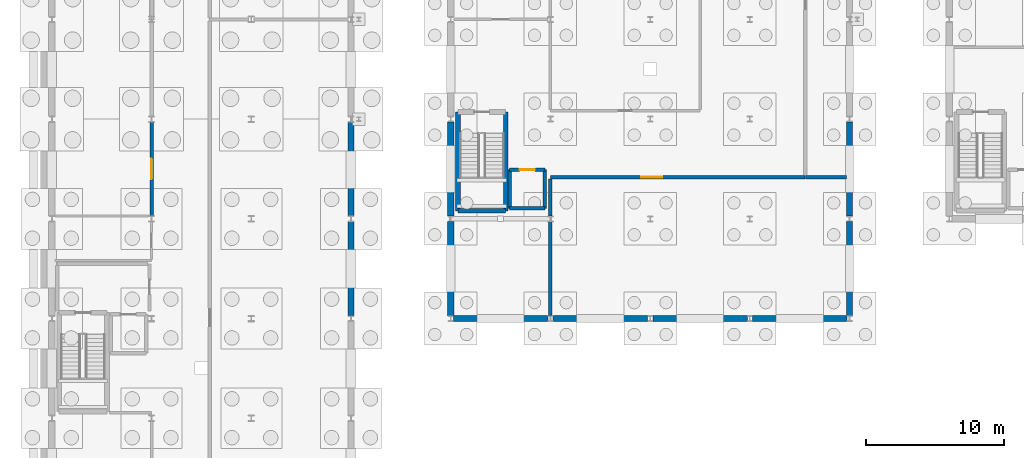
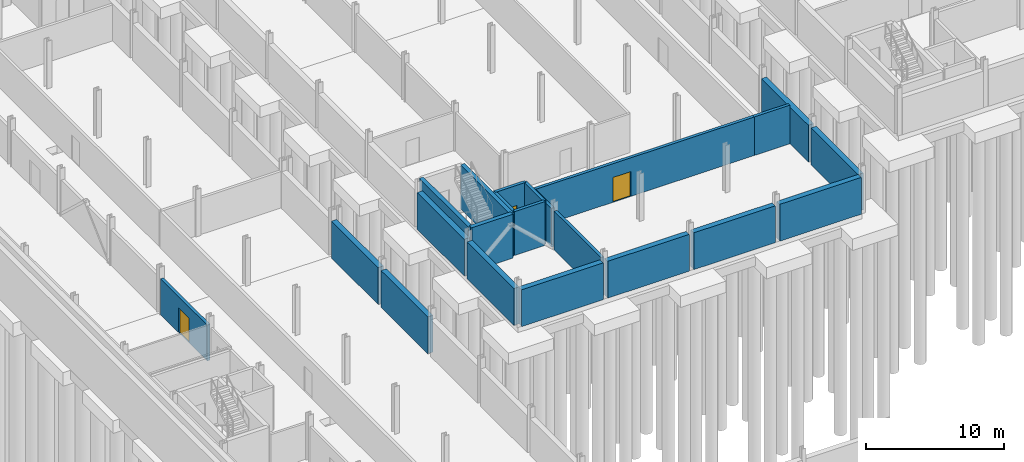
# One storey, part 35 of 50: 22 walls, 3 doors, 3 openings.
"""IFC4 building model written with IfcOpenShell, lengths in metres."""

from ifc_helpers import new_model, si_unit, direction, frame, frame_2d, origin, place, context, subcontext, project, spatial, rectangle, extrude, material, layer, layer_set, type_object, element, fill, save


model = new_model("IFC4")

# Units and contexts
model_context = context("Model", 3, precision=1e-05, world=origin(), true_north=direction((0.0, 1.0)))
body_context = subcontext(model_context, "Body", "Model", "MODEL_VIEW")
ifc_project = project(units=[si_unit("LENGTHUNIT", "METRE"), si_unit("AREAUNIT", "SQUARE_METRE"), si_unit("VOLUMEUNIT", "CUBIC_METRE"), si_unit("PLANEANGLEUNIT", "RADIAN"), si_unit("MASSUNIT", "GRAM", prefix="KILO")], contexts=[model_context])

# Site, building, storey
site_placement = place(None, origin())
site = spatial("IfcSite", under=ifc_project, at=site_placement, CompositionType="ELEMENT")
building_placement = place(site_placement, origin())
building = spatial("IfcBuilding", under=site, at=building_placement, Name="Narikvali Park Central Library", CompositionType="ELEMENT")
storey_placement = place(building_placement, frame((0.0, 0.0, -4.199951171875)))
storey = spatial("IfcBuildingStorey", under=building, at=storey_placement, Name="B1", CompositionType="ELEMENT", Elevation=-4.199951171875)

# Walls
ifc_material_1 = material(Name="Concrete C35/45", Category="concrete")
ifc_layer_1 = layer(ifc_material_1, 0.449951171875, Name="Concrete C35/45")
ifc_layer_set_1 = layer_set([ifc_layer_1], Name="Concrete C35/45")
wall_type_1 = type_object("IfcWallType", Name="Basement Perimeter Retaining Wall 450", PredefinedType="USERDEFINED", material=ifc_layer_set_1)
wall_1_placement = place(storey_placement, frame((28.987548828125, 50.39990234375, 0.0), z_axis=(0.0, 0.0, 1.0), x_axis=(1.0, 0.0, 0.0)))
element("IfcWall", 1, at=wall_1_placement, inside=storey, type_object=wall_type_1, Name="V4 B1 Retaining Wall S", ObjectType="RETAINING WALL", PredefinedType="USERDEFINED", context=body_context, shape_type="SweptSolid", body=[
    extrude(rectangle(XDim=6.824462890625, YDim=0.449951171875, at=frame_2d((3.412109375, 0.0))), origin(), (0.0, 0.0, 1.0), 3.260009765625),
])
for number, where, z_axis, x_axis, name in (
    (2, (36.18798828125, 50.39990234375, 0.0), (0.0, 0.0, 1.0), (1.0, 0.0, 0.0), "V4 B1 Retaining Wall S"),
    (3, (43.387939453125, 50.39990234375, 0.0), (0.0, 0.0, 1.0), (1.0, 0.0, 0.0), "V4 B1 Retaining Wall S"),
):
    element("IfcWall", number, at=place(storey_placement, frame(where, z_axis=z_axis, x_axis=x_axis)), inside=storey, type_object=wall_type_1, Name=name, ObjectType="RETAINING WALL", PredefinedType="USERDEFINED", context=body_context, shape_type="SweptSolid", body=[
        extrude(rectangle(XDim=6.823974609375, YDim=0.449951171875, at=frame_2d((3.412109375, 0.0))), origin(), (0.0, 0.0, 1.0), 3.260009765625),
    ])
wall_2_placement = place(storey_placement, frame((50.587890625, 50.39990234375, 0.0), z_axis=(0.0, 0.0, 1.0), x_axis=(1.0, 0.0, 0.0)))
element("IfcWall", 4, at=wall_2_placement, inside=storey, type_object=wall_type_1, Name="V4 B1 Retaining Wall S", ObjectType="RETAINING WALL", PredefinedType="USERDEFINED", context=body_context, shape_type="SweptSolid", body=[
    extrude(rectangle(XDim=6.82470703125, YDim=0.449951171875, at=frame_2d((3.412353515625, 0.0))), origin(), (0.0, 0.0, 1.0), 3.260009765625),
])
for number, where, z_axis, x_axis, name in (
    (5, (28.800048828125, 50.58740234375, 0.0), (0.0, 0.0, 1.0), (0.0, 1.0, 0.0), "V4 B1 Retaining Wall W"),
    (6, (57.60009765625, 50.58740234375, 0.0), (0.0, 0.0, 1.0), (0.0, 1.0, 0.0), "V4 B1 Retaining Wall E"),
):
    element("IfcWall", number, at=place(storey_placement, frame(where, z_axis=z_axis, x_axis=x_axis)), inside=storey, type_object=wall_type_1, Name=name, ObjectType="RETAINING WALL", PredefinedType="USERDEFINED", context=body_context, shape_type="SweptSolid", body=[
        extrude(rectangle(XDim=6.822509765625, YDim=0.449951171875, at=frame_2d((3.4111328125, 0.0))), origin(), (0.0, 0.0, 1.0), 3.260009765625),
    ])
for number, where, z_axis, x_axis, name in (
    (7, (28.800048828125, 57.7900390625, 0.0), (0.0, 0.0, 1.0), (0.0, 1.0, 0.0), "V4 B1 Retaining Wall W"),
    (8, (57.60009765625, 57.7900390625, 0.0), (0.0, 0.0, 1.0), (0.0, 1.0, 0.0), "V4 B1 Retaining Wall E"),
):
    element("IfcWall", number, at=place(storey_placement, frame(where, z_axis=z_axis, x_axis=x_axis)), inside=storey, type_object=wall_type_1, Name=name, ObjectType="RETAINING WALL", PredefinedType="USERDEFINED", context=body_context, shape_type="SweptSolid", body=[
        extrude(rectangle(XDim=6.820068359375, YDim=0.449951171875, at=frame_2d((3.41015625, 0.0))), origin(), (0.0, 0.0, 1.0), 3.260009765625),
    ])
wall_3_placement = place(storey_placement, frame((21.60009765625, 50.60791015625, 0.0), z_axis=(0.0, 0.0, 1.0), x_axis=(0.0, 1.0, 0.0)))
element("IfcWall", 9, at=wall_3_placement, inside=storey, type_object=wall_type_1, Name="V5 B1 Retaining Wall E", ObjectType="RETAINING WALL", PredefinedType="USERDEFINED", context=body_context, shape_type="SweptSolid", body=[
    extrude(rectangle(XDim=6.7841796875, YDim=0.449951171875, at=frame_2d((3.39208984375, 0.0))), origin(), (0.0, 0.0, 1.0), 3.260009765625),
])
wall_4_placement = place(storey_placement, frame((21.60009765625, 57.80810546875, 0.0), z_axis=(0.0, 0.0, 1.0), x_axis=(0.0, 1.0, 0.0)))
element("IfcWall", 10, at=wall_4_placement, inside=storey, type_object=wall_type_1, Name="V5 B1 Retaining Wall E", ObjectType="RETAINING WALL", PredefinedType="USERDEFINED", context=body_context, shape_type="SweptSolid", body=[
    extrude(rectangle(XDim=6.783935546875, YDim=0.449951171875, at=frame_2d((3.39208984375, 0.0))), origin(), (0.0, 0.0, 1.0), 3.260009765625),
])
ifc_material_2 = material(Name="Concrete Blockwork C30/37", Category="masonry")
ifc_layer_2 = layer(ifc_material_2, 0.25, Name="Concrete Blockwork C30/37")
ifc_layer_set_2 = layer_set([ifc_layer_2], Name="Concrete Blockwork C30/37")
wall_type_2 = type_object("IfcWallType", Name="Plant Room Acoustic Fire Wall 250", PredefinedType="SOLIDWALL", material=ifc_layer_set_2)
wall_5_placement = place(storey_placement, frame((54.39990234375, 60.60009765625, 0.0), z_axis=(0.0, 0.0, 1.0), x_axis=(1.0, 0.0, 0.0)))
element("IfcWall", 11, at=wall_5_placement, inside=storey, type_object=wall_type_2, Name="Atrium Southeast Switchgear Room Partition S", PredefinedType="SOLIDWALL", context=body_context, shape_type="SweptSolid", body=[
    extrude(rectangle(XDim=2.97509765625, YDim=0.25, at=frame_2d((1.487548828125, 0.0))), origin(), (0.0, 0.0, 1.0), 3.4150390625),
])

# Wall, opening, door
wall_6_placement = place(storey_placement, frame((36.0, 60.60009765625, 0.0), z_axis=(0.0, 0.0, 1.0), x_axis=(1.0, 0.0, 0.0)))
wall_6 = element("IfcWall", 12, at=wall_6_placement, inside=storey, type_object=wall_type_2, Name="Emergency Power and Battery Plant Partition N", PredefinedType="SOLIDWALL", context=body_context, shape_type="SweptSolid", body=[
    extrude(rectangle(XDim=18.39794921875, YDim=0.25, at=frame_2d((9.198974609375, 0.0))), origin(), (0.0, 0.0, 1.0), 3.4150390625),
])
opening_1_placement = place(wall_6_placement, frame((6.570068359375, 0.0, 0.0)))
opening_1 = element("IfcOpeningElement", 13, at=opening_1_placement, cuts=wall_6, Name="Opening ID-0081", PredefinedType="OPENING", context=body_context, shape_type="SweptSolid", body=[
    extrude(rectangle(XDim=1.5, YDim=2.199951171875, at=frame_2d((0.75, 1.10009765625))), frame((0.0, 0.136962890625, 0.0), z_axis=(0.0, -1.0, 0.0), x_axis=(1.0, 0.0, 0.0)), (0.0, 0.0, 1.0), 0.27392578125),
])
ifc_material_3 = material(Name="Galvanised Steel S275 Louvred Fire Leaf", Category="steel")
door_type_1 = type_object("IfcDoorType", Name="Plant Room Double Steel Fire Door 1500x2200", OperationType="DOUBLE_DOOR_SINGLE_SWING", PredefinedType="DOOR", material=ifc_material_3)
door_1_placement = place(opening_1_placement, origin())
door_1 = element("IfcDoor", 14, at=door_1_placement, inside=storey, type_object=door_type_1, Name="Emergency Power and Battery Plant Door ID-0081", OperationType="DOUBLE_DOOR_SINGLE_SWING", OverallHeight=2.199951171875, OverallWidth=1.5, PredefinedType="DOOR", context=body_context, shape_type="SweptSolid", body=[
    extrude(rectangle(XDim=1.5, YDim=2.199951171875, at=frame_2d((0.75, 1.10009765625))), frame((0.0, 0.02490234375, 0.0), z_axis=(0.0, -1.0, 0.0), x_axis=(1.0, 0.0, 0.0)), (0.0, 0.0, 1.0), 0.050048828125),
])
fill(opening_1, door_1)

# Walls
wall_7_placement = place(storey_placement, frame((36.0, 50.625, 0.0), z_axis=(0.0, 0.0, 1.0), x_axis=(0.0, 1.0, 0.0)))
element("IfcWall", 15, at=wall_7_placement, inside=storey, type_object=wall_type_2, Name="Emergency Power and Battery Plant Partition W", PredefinedType="SOLIDWALL", context=body_context, shape_type="SweptSolid", body=[
    extrude(rectangle(XDim=6.777587890625, YDim=0.25, at=frame_2d((3.388671875, 0.0))), origin(), (0.0, 0.0, 1.0), 3.425048828125),
])
wall_8_placement = place(storey_placement, frame((36.0, 57.797607421875, 0.0), z_axis=(0.0, 0.0, 1.0), x_axis=(0.0, 1.0, 0.0)))
element("IfcWall", 16, at=wall_8_placement, inside=storey, type_object=wall_type_2, Name="Emergency Power and Battery Plant Partition W", PredefinedType="SOLIDWALL", context=body_context, shape_type="SweptSolid", body=[
    extrude(rectangle(XDim=2.67529296875, YDim=0.25, at=frame_2d((1.337646484375, 0.0))), origin(), (0.0, 0.0, 1.0), 3.425048828125),
])

# Wall, opening, door
wall_9_placement = place(storey_placement, frame((7.199951171875, 57.821533203125, 0.0), z_axis=(0.0, 0.0, 1.0), x_axis=(0.0, 1.0, 0.0)))
wall_9 = element("IfcWall", 17, at=wall_9_placement, inside=storey, type_object=wall_type_2, Name="Archive Precision Climate Plant Room Partition E", PredefinedType="SOLIDWALL", context=body_context, shape_type="SweptSolid", body=[
    extrude(rectangle(XDim=6.757080078125, YDim=0.25, at=frame_2d((3.37841796875, 0.0))), origin(), (0.0, 0.0, 1.0), 3.175048828125),
])
opening_2_placement = place(wall_9_placement, frame((2.62841796875, 0.0, 0.0)))
opening_2 = element("IfcOpeningElement", 18, at=opening_2_placement, cuts=wall_9, Name="Opening ID-0107", PredefinedType="OPENING", context=body_context, shape_type="SweptSolid", body=[
    extrude(rectangle(XDim=1.5, YDim=2.199951171875, at=frame_2d((0.75, 1.10009765625))), frame((0.0, 0.136962890625, 0.0), z_axis=(0.0, -1.0, 0.0), x_axis=(1.0, 0.0, 0.0)), (0.0, 0.0, 1.0), 0.27392578125),
])
door_2_placement = place(opening_2_placement, frame((1.5, 0.0, 0.0), z_axis=(0.0, 0.0, 1.0), x_axis=(-1.0, 0.0, 0.0)))
door_2 = element("IfcDoor", 19, at=door_2_placement, inside=storey, type_object=door_type_1, Name="Archive Precision Climate Plant Room Door ID-0107", OperationType="DOUBLE_DOOR_SINGLE_SWING", OverallHeight=2.199951171875, OverallWidth=1.5, PredefinedType="DOOR", context=body_context, shape_type="SweptSolid", body=[
    extrude(rectangle(XDim=1.5, YDim=2.199951171875, at=frame_2d((0.75, 1.10009765625))), frame((0.0, 0.02490234375, 0.0), z_axis=(0.0, -1.0, 0.0), x_axis=(1.0, 0.0, 0.0)), (0.0, 0.0, 1.0), 0.050048828125),
])
fill(opening_2, door_2)

# Walls
ifc_material_4 = material(Name="Concrete C40/50", Category="concrete")
ifc_layer_3 = layer(ifc_material_4, 0.35009765625, Name="Concrete C40/50")
ifc_layer_set_3 = layer_set([ifc_layer_3], Name="Concrete C40/50")
wall_type_3 = type_object("IfcWallType", Name="Reinforced Concrete Core Shear Wall 350", PredefinedType="SHEAR", material=ifc_layer_set_3)
wall_10_placement = place(storey_placement, frame((29.330078125, 58.179931640625, 0.0), z_axis=(0.0, 0.0, 1.0), x_axis=(1.0, 0.0, 0.0)))
element("IfcWall", 20, at=wall_10_placement, inside=storey, type_object=wall_type_3, Name="C4A B1 Stair Core Shear Wall S", PredefinedType="SHEAR", context=body_context, shape_type="SweptSolid", body=[
    extrude(rectangle(XDim=3.43994140625, YDim=0.35009765625, at=frame_2d((1.719970703125, 0.0))), origin(), (0.0, 0.0, 1.0), 3.8798828125),
])
for number, where, z_axis, x_axis, name in (
    (21, (32.77001953125, 58.179931640625, 0.0), (0.0, 0.0, 1.0), (0.0, 1.0, 0.0), "C4A B1 Stair Core Shear Wall E"),
    (22, (29.330078125, 65.320068359375, 0.0), (0.0, 0.0, 1.0), (0.0, -1.0, 0.0), "C4A B1 Stair Core Shear Wall W"),
):
    element("IfcWall", number, at=place(storey_placement, frame(where, z_axis=z_axis, x_axis=x_axis)), inside=storey, type_object=wall_type_3, Name=name, PredefinedType="SHEAR", context=body_context, shape_type="SweptSolid", body=[
        extrude(rectangle(XDim=7.14013671875, YDim=0.35009765625, at=frame_2d((3.570068359375, 0.0))), origin(), (0.0, 0.0, 1.0), 3.8798828125),
    ])
ifc_layer_4 = layer(ifc_material_4, 0.25, Name="Concrete C40/50")
ifc_layer_set_4 = layer_set([ifc_layer_4], Name="Concrete C40/50")
wall_type_4 = type_object("IfcWallType", Name="Reinforced Concrete Lift Shaft Wall 250", PredefinedType="SHEAR", material=ifc_layer_set_4)
wall_11_placement = place(storey_placement, frame((33.050048828125, 58.35009765625, 0.0), z_axis=(0.0, 0.0, 1.0), x_axis=(1.0, 0.0, 0.0)))
element("IfcWall", 23, at=wall_11_placement, inside=storey, type_object=wall_type_4, Name="L-05 B1 Lift Shaft Wall S", PredefinedType="SHEAR", context=body_context, shape_type="SweptSolid", body=[
    extrude(rectangle(XDim=2.550048828125, YDim=0.25, at=frame_2d((1.27490234375, 0.0))), origin(), (0.0, 0.0, 1.0), 3.8798828125),
])
wall_12_placement = place(storey_placement, frame((35.60009765625, 58.35009765625, 0.0), z_axis=(0.0, 0.0, 1.0), x_axis=(0.0, 1.0, 0.0)))
element("IfcWall", 24, at=wall_12_placement, inside=storey, type_object=wall_type_4, Name="L-05 B1 Lift Shaft Wall E", PredefinedType="SHEAR", context=body_context, shape_type="SweptSolid", body=[
    extrude(rectangle(XDim=2.7998046875, YDim=0.25, at=frame_2d((1.39990234375, 0.0))), origin(), (0.0, 0.0, 1.0), 3.8798828125),
])

# Wall, opening, door
wall_13_placement = place(storey_placement, frame((35.60009765625, 61.14990234375, 0.0), z_axis=(0.0, 0.0, 1.0), x_axis=(-1.0, 0.0, 0.0)))
wall_13 = element("IfcWall", 25, at=wall_13_placement, inside=storey, type_object=wall_type_4, Name="L-05 B1 Lift Shaft Wall N", PredefinedType="SHEAR", context=body_context, shape_type="SweptSolid", body=[
    extrude(rectangle(XDim=2.550048828125, YDim=0.25, at=frame_2d((1.27490234375, 0.0))), origin(), (0.0, 0.0, 1.0), 3.8798828125),
])
opening_3_placement = place(wall_13_placement, frame((0.72509765625, 0.0, 0.0)))
opening_3 = element("IfcOpeningElement", 26, at=opening_3_placement, cuts=wall_13, Name="Opening LD-022", PredefinedType="OPENING", context=body_context, shape_type="SweptSolid", body=[
    extrude(rectangle(XDim=1.10009765625, YDim=2.10009765625, at=frame_2d((0.550048828125, 1.050048828125))), frame((0.0, 0.136962890625, 0.0), z_axis=(0.0, -1.0, 0.0), x_axis=(1.0, 0.0, 0.0)), (0.0, 0.0, 1.0), 0.27392578125),
])
ifc_material_5 = material(Name="Brushed Stainless Steel S355", Category="steel")
door_type_2 = type_object("IfcDoorType", Name="Passenger Lift Sliding Landing Door 1100x2100", OperationType="SLIDING_TO_LEFT", PredefinedType="DOOR", material=ifc_material_5)
door_3_placement = place(opening_3_placement, origin())
door_3 = element("IfcDoor", 27, at=door_3_placement, inside=storey, type_object=door_type_2, Name="L-05 B1 Lift Landing Sliding Door LD-022", OperationType="SLIDING_TO_LEFT", OverallHeight=2.10009765625, OverallWidth=1.10009765625, PredefinedType="DOOR", context=body_context, shape_type="SweptSolid", body=[
    extrude(rectangle(XDim=1.10009765625, YDim=2.10009765625, at=frame_2d((0.550048828125, 1.050048828125))), frame((0.0, 0.02490234375, 0.0), z_axis=(0.0, -1.0, 0.0), x_axis=(1.0, 0.0, 0.0)), (0.0, 0.0, 1.0), 0.050048828125),
])
fill(opening_3, door_3)

# Wall
wall_14_placement = place(storey_placement, frame((33.050048828125, 61.14990234375, 0.0), z_axis=(0.0, 0.0, 1.0), x_axis=(0.0, -1.0, 0.0)))
element("IfcWall", 28, at=wall_14_placement, inside=storey, type_object=wall_type_4, Name="L-05 B1 Lift Shaft Wall W", PredefinedType="SHEAR", context=body_context, shape_type="SweptSolid", body=[
    extrude(rectangle(XDim=2.7998046875, YDim=0.25, at=frame_2d((1.39990234375, 0.0))), origin(), (0.0, 0.0, 1.0), 3.8798828125),
])

save(model, "model.ifc")
